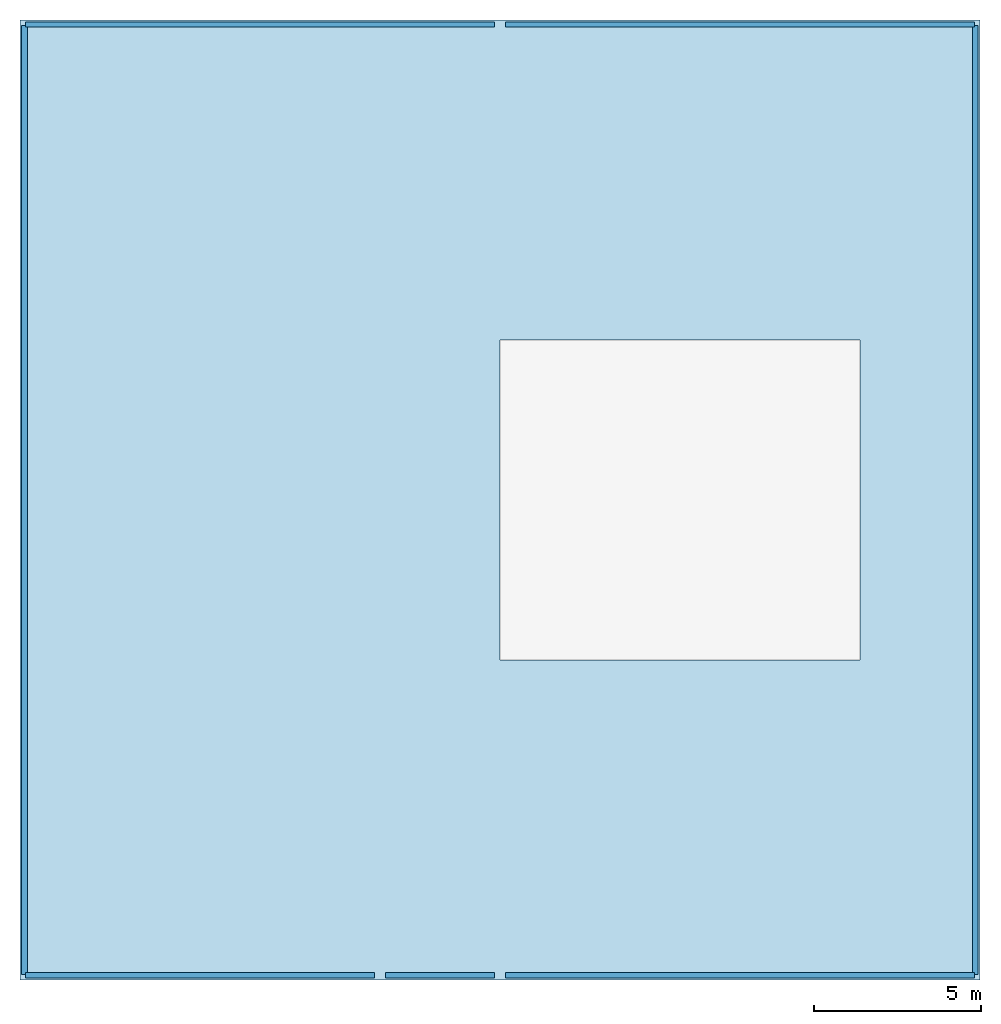
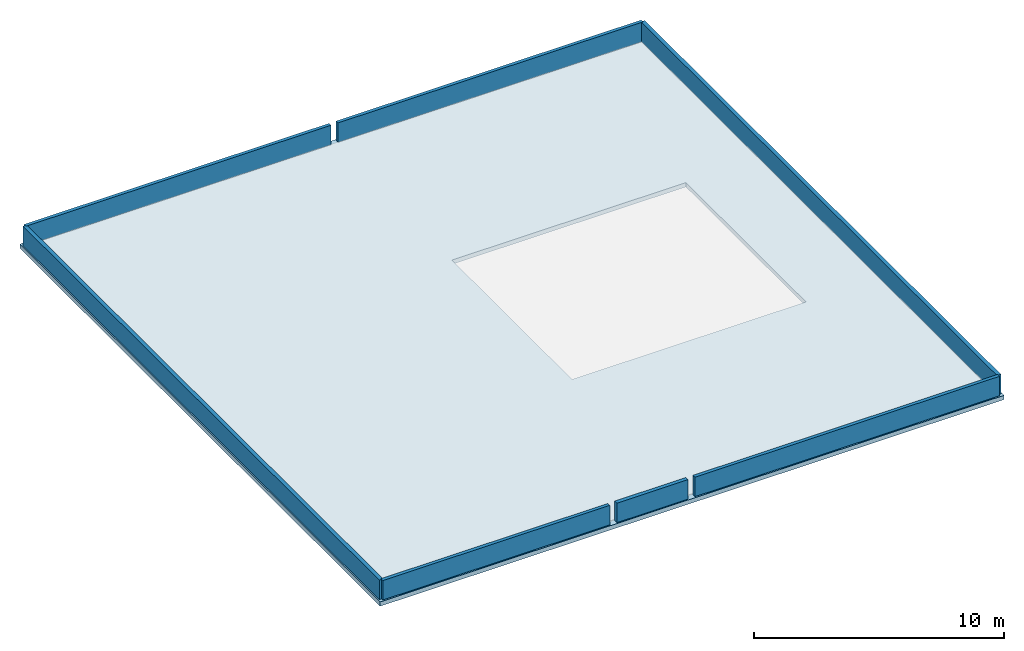
# One storey, part 1 of 2: 7 walls, 1 slab.
"""IFC4 building model written with IfcOpenShell, lengths in metres."""

from ifc_helpers import new_model, si_unit, direction, frame, frame_2d, origin, place, context, subcontext, project, spatial, polyline, rectangle, outline, extrude, material, layer, layer_set, type_object, element, save


model = new_model("IFC4")

# Units and contexts
model_context = context("Model", 3, precision=1e-05, world=origin(), true_north=direction((0.0, 1.0)))
body_context = subcontext(model_context, "Body", "Model", "MODEL_VIEW")
ifc_project = project(units=[si_unit("LENGTHUNIT", "METRE"), si_unit("AREAUNIT", "SQUARE_METRE"), si_unit("VOLUMEUNIT", "CUBIC_METRE"), si_unit("PLANEANGLEUNIT", "RADIAN"), si_unit("MASSUNIT", "GRAM", prefix="KILO")], contexts=[model_context])

# Site, building, storey
site_placement = place(None, origin())
site = spatial("IfcSite", under=ifc_project, at=site_placement, CompositionType="ELEMENT")
building_placement = place(site_placement, origin())
building = spatial("IfcBuilding", under=site, at=building_placement, Name="Bramvelor Terrace Health Centre", CompositionType="ELEMENT")
storey_placement = place(building_placement, frame((0.0, 0.0, 25.5)))
storey = spatial("IfcBuildingStorey", under=building, at=storey_placement, Name="RF", CompositionType="ELEMENT", Elevation=25.5)

# Slab
ifc_material_1 = material(Name="Cross-laminated timber C24", Category="wood")
ifc_layer_1 = layer(ifc_material_1, 0.2099609375)
ifc_layer_set_1 = layer_set([ifc_layer_1], Name="Cross-laminated timber C24")
slab_type = type_object("IfcSlabType", Name="SLB-RF-CLT210", PredefinedType="ROOF", material=ifc_layer_set_1)
slab_placement = place(storey_placement, frame((0.0, 0.0, -0.2099609375)))
element("IfcSlab", 1, at=slab_placement, inside=storey, type_object=slab_type, Name="RF Insulated Maintenance Roof 1", PredefinedType="ROOF", context=body_context, shape_type="SweptSolid", body=[
    extrude(outline(polyline([(14.39990234375, 115.199951171875), (28.800048828125, 115.199951171875), (28.800048828125, 86.39990234375), (14.39990234375, 86.39990234375), (10.800048828125, 86.39990234375), (0.0, 86.39990234375), (0.0, 115.199951171875), (14.39990234375, 115.199951171875)]), holes=[polyline([(25.199951171875, 105.60009765625), (14.39990234375, 105.60009765625), (14.39990234375, 96.0), (25.199951171875, 96.0), (25.199951171875, 105.60009765625)])]), origin(), (0.0, 0.0, 1.0), 0.2099609375),
])

# Walls
ifc_material_2 = material(Name="Precast concrete C40/50", Category="concrete")
ifc_layer_2 = layer(ifc_material_2, 0.155029296875)
ifc_layer_set_2 = layer_set([ifc_layer_2], Name="Precast concrete C40/50")
wall_type_1 = type_object("IfcWallType", Name="WL-PAR-155", PredefinedType="PARAPET", material=ifc_layer_set_2)
for number, where, z_axis, x_axis, name in (
    (2, (14.56005859375, 115.06005859375, 0.0), (0.0, 0.0, 1.0), (1.0, 0.0, 0.0), "RF Roof Parapet Upstand 43"),
    (3, (28.639892578125, 86.5400390625, 0.0), (0.0, 0.0, 1.0), (-1.0, 0.0, 0.0), "RF Roof Parapet Upstand 45"),
):
    element("IfcWall", number, at=place(storey_placement, frame(where, z_axis=z_axis, x_axis=x_axis)), inside=storey, type_object=wall_type_1, Name=name, PredefinedType="PARAPET", context=body_context, shape_type="SweptSolid", body=[
        extrude(rectangle(XDim=14.079833984375, YDim=0.155029296875, at=frame_2d((7.0400390625, 0.0))), origin(), (0.0, 0.0, 1.0), 0.949951171875),
    ])
wall_1_placement = place(storey_placement, frame((10.639892578125, 86.5400390625, 0.0), z_axis=(0.0, 0.0, 1.0), x_axis=(-1.0, 0.0, 0.0)))
element("IfcWall", 4, at=wall_1_placement, inside=storey, type_object=wall_type_1, Name="RF Roof Parapet Upstand 47", PredefinedType="PARAPET", context=body_context, shape_type="SweptSolid", body=[
    extrude(rectangle(XDim=10.47998046875, YDim=0.155029296875, at=frame_2d((5.239990234375, 0.0))), origin(), (0.0, 0.0, 1.0), 0.949951171875),
])
wall_2_placement = place(storey_placement, frame((0.159912109375, 115.06005859375, 0.0), z_axis=(0.0, 0.0, 1.0), x_axis=(1.0, 0.0, 0.0)))
element("IfcWall", 5, at=wall_2_placement, inside=storey, type_object=wall_type_1, Name="RF Roof Parapet Upstand 49", PredefinedType="PARAPET", context=body_context, shape_type="SweptSolid", body=[
    extrude(rectangle(XDim=14.080078125, YDim=0.155029296875, at=frame_2d((7.0400390625, 0.0))), origin(), (0.0, 0.0, 1.0), 0.949951171875),
])
ifc_material_3 = material(Name="Precast concrete C40/50", Category="concrete")
ifc_layer_3 = layer(ifc_material_3, 0.175048828125)
ifc_layer_set_3 = layer_set([ifc_layer_3], Name="Precast concrete C40/50")
wall_type_2 = type_object("IfcWallType", Name="WL-PAR-175", PredefinedType="PARAPET", material=ifc_layer_set_3)
wall_3_placement = place(storey_placement, frame((28.659912109375, 115.0400390625, 0.0), z_axis=(0.0, 0.0, 1.0), x_axis=(0.0, -1.0, 0.0)))
element("IfcWall", 6, at=wall_3_placement, inside=storey, type_object=wall_type_2, Name="RF Roof Parapet Upstand 44", PredefinedType="PARAPET", context=body_context, shape_type="SweptSolid", body=[
    extrude(rectangle(XDim=28.47998046875, YDim=0.175048828125, at=frame_2d((14.239990234375, 0.0))), origin(), (0.0, 0.0, 1.0), 0.949951171875),
])
wall_4_placement = place(storey_placement, frame((14.239990234375, 86.5400390625, 0.0), z_axis=(0.0, 0.0, 1.0), x_axis=(-1.0, 0.0, 0.0)))
element("IfcWall", 7, at=wall_4_placement, inside=storey, type_object=wall_type_2, Name="RF Roof Parapet Upstand 46", PredefinedType="PARAPET", context=body_context, shape_type="SweptSolid", body=[
    extrude(rectangle(XDim=3.280029296875, YDim=0.175048828125, at=frame_2d((1.64013671875, 0.0))), origin(), (0.0, 0.0, 1.0), 0.949951171875),
])
wall_5_placement = place(storey_placement, frame((0.139892578125, 86.56005859375, 0.0), z_axis=(0.0, 0.0, 1.0), x_axis=(0.0, 1.0, 0.0)))
element("IfcWall", 8, at=wall_5_placement, inside=storey, type_object=wall_type_2, Name="RF Roof Parapet Upstand 48", PredefinedType="PARAPET", context=body_context, shape_type="SweptSolid", body=[
    extrude(rectangle(XDim=28.47998046875, YDim=0.175048828125, at=frame_2d((14.239990234375, 0.0))), origin(), (0.0, 0.0, 1.0), 0.949951171875),
])

save(model, "model.ifc")
